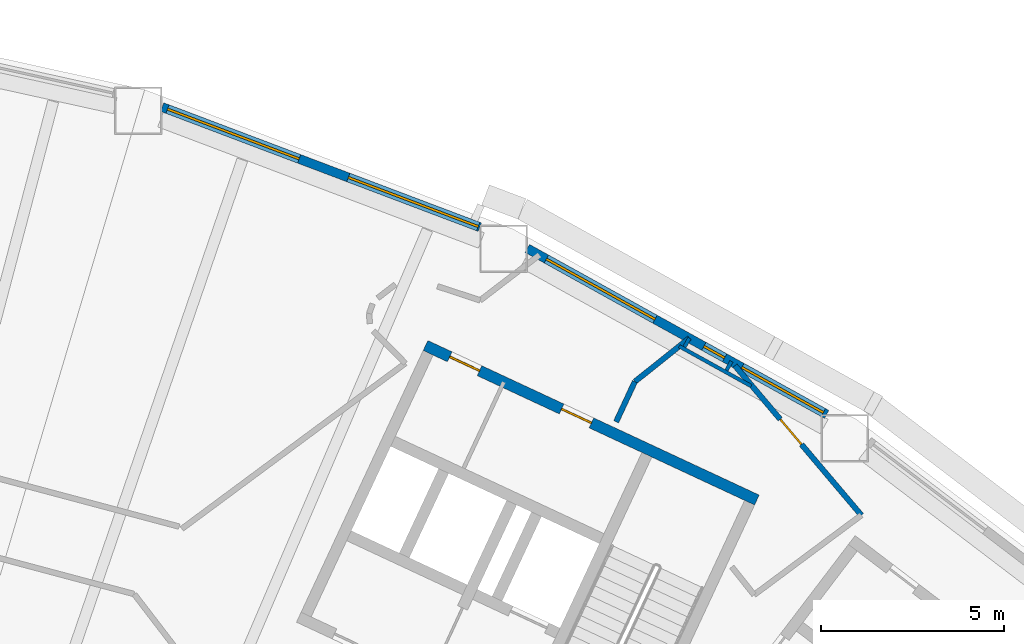
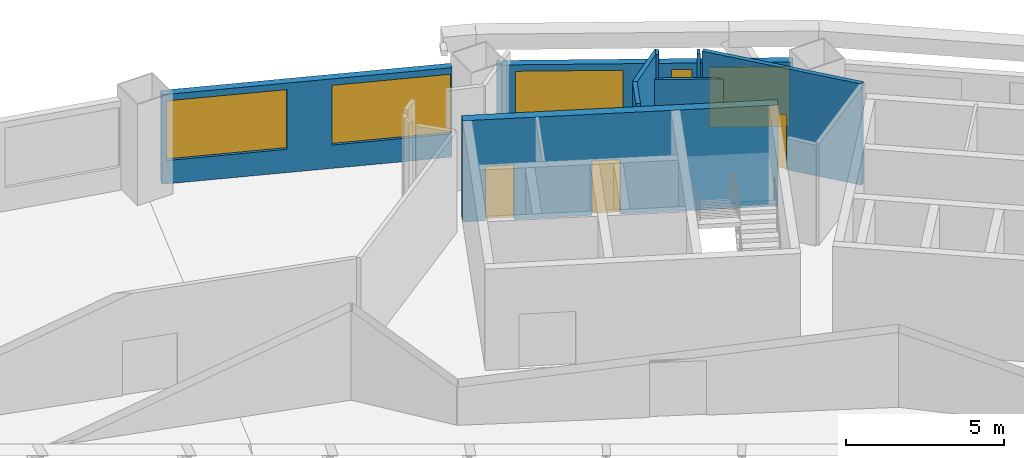
# One storey, part 8 of 14: 9 walls, 5 windows, 3 doors, 8 openings.
"""IFC4 building model written with IfcOpenShell, lengths in metres."""

from ifc_helpers import new_model, si_unit, direction, frame, frame_2d, origin, place, context, subcontext, project, spatial, rectangle, extrude, material, layer, layer_set, type_object, element, fill, save


model = new_model("IFC4")

# Units and contexts
model_context = context("Model", 3, precision=1e-05, world=origin(), true_north=direction((0.0, 1.0)))
body_context = subcontext(model_context, "Body", "Model", "MODEL_VIEW")
ifc_project = project(units=[si_unit("LENGTHUNIT", "METRE"), si_unit("AREAUNIT", "SQUARE_METRE"), si_unit("VOLUMEUNIT", "CUBIC_METRE"), si_unit("PLANEANGLEUNIT", "RADIAN"), si_unit("MASSUNIT", "GRAM", prefix="KILO")], contexts=[model_context])

# Site, building, storey
site_placement = place(None, origin())
site = spatial("IfcSite", under=ifc_project, at=site_placement, CompositionType="ELEMENT")
building_placement = place(site_placement, origin())
building = spatial("IfcBuilding", under=site, at=building_placement, Name="Tuul Gate Civic Tower", CompositionType="ELEMENT")
storey_placement = place(building_placement, frame((0.0, 0.0, 44.10009765625)))
storey = spatial("IfcBuildingStorey", under=building, at=storey_placement, Name="Level 09", CompositionType="ELEMENT", Elevation=44.10009765625)

# Wall, openings, doors
ifc_material_1 = material(Name="Concrete C50/60", Category="concrete")
ifc_layer_1 = layer(ifc_material_1, 0.300048828125)
ifc_layer_set_1 = layer_set([ifc_layer_1], Name="Concrete C50/60")
wall_type_1 = type_object("IfcWallType", Name="Core wall C50/60", PredefinedType="SHEAR", material=ifc_layer_set_1)
wall_1_placement = place(storey_placement, frame((37.993408203125, 0.181884765625, 0.0), z_axis=(0.0, 0.0, 1.0), x_axis=(-0.906310338845, 0.422612789327, 0.0)))
wall_1 = element("IfcWall", 1, at=wall_1_placement, inside=storey, type_object=wall_type_1, Name="Core wall", PredefinedType="SHEAR", context=body_context, shape_type="SweptSolid", body=[
    extrude(rectangle(XDim=9.999755859375, YDim=0.300048828125, at=frame_2d((5.0, 0.0))), origin(), (0.0, 0.0, 1.0), 3.89990234375),
])
opening_1_placement = place(wall_1_placement, frame((4.99365234375, 0.0, 0.0)))
opening_1 = element("IfcOpeningElement", 2, at=opening_1_placement, cuts=wall_1, Name="Opening B-D23", PredefinedType="OPENING", context=body_context, shape_type="SweptSolid", body=[
    extrude(rectangle(XDim=0.89990234375, YDim=2.10009765625, at=frame_2d((0.449951171875, 1.050048828125))), frame((0.0, 0.16015625, 0.0), z_axis=(0.0, -1.0, 0.0), x_axis=(1.0, 0.0, 0.0)), (0.0, 0.0, 1.0), 0.320068359375),
])
opening_2_placement = place(wall_1_placement, frame((8.368896484375, 0.0, 0.0)))
opening_2 = element("IfcOpeningElement", 3, at=opening_2_placement, cuts=wall_1, Name="Opening B-D24", PredefinedType="OPENING", context=body_context, shape_type="SweptSolid", body=[
    extrude(rectangle(XDim=0.89990234375, YDim=2.10009765625, at=frame_2d((0.449951171875, 1.050048828125))), frame((0.0, 0.16015625, 0.0), z_axis=(0.0, -1.0, 0.0), x_axis=(1.0, 0.0, 0.0)), (0.0, 0.0, 1.0), 0.320068359375),
])
ifc_material_2 = material(Name="Timber door leaf", Category="wood")
door_type = type_object("IfcDoorType", Name="Door D09", OperationType="NOTDEFINED", PredefinedType="DOOR", material=ifc_material_2)
door_1_placement = place(opening_1_placement, origin())
door_1 = element("IfcDoor", 4, at=door_1_placement, inside=storey, type_object=door_type, Name="Door B-D23", OperationType="SINGLE_SWING_LEFT", OverallHeight=2.10009765625, OverallWidth=0.89990234375, PredefinedType="DOOR", context=body_context, shape_type="SweptSolid", body=[
    extrude(rectangle(XDim=0.89990234375, YDim=2.10009765625, at=frame_2d((0.449951171875, 1.050048828125))), frame((0.0, 0.02490234375, 0.0), z_axis=(0.0, -1.0, 0.0), x_axis=(1.0, 0.0, 0.0)), (0.0, 0.0, 1.0), 0.050048828125),
])
fill(opening_1, door_1)
door_2_placement = place(opening_2_placement, origin())
door_2 = element("IfcDoor", 5, at=door_2_placement, inside=storey, type_object=door_type, Name="Door B-D24", OperationType="SINGLE_SWING_RIGHT", OverallHeight=2.10009765625, OverallWidth=0.89990234375, PredefinedType="DOOR", context=body_context, shape_type="SweptSolid", body=[
    extrude(rectangle(XDim=0.89990234375, YDim=2.10009765625, at=frame_2d((0.449951171875, 1.050048828125))), frame((0.0, 0.02490234375, 0.0), z_axis=(0.0, -1.0, 0.0), x_axis=(1.0, 0.0, 0.0)), (0.0, 0.0, 1.0), 0.050048828125),
])
fill(opening_2, door_2)

# Walls
ifc_material_3 = material(Name="Gypsum board partition")
ifc_layer_2 = layer(ifc_material_3, 0.14990234375)
ifc_layer_set_2 = layer_set([ifc_layer_2], Name="Gypsum board partition")
wall_type_2 = type_object("IfcWallType", Name="Corridor wall P150", PredefinedType="PARTITIONING", material=ifc_layer_set_2)
wall_2_placement = place(storey_placement, frame((34.143798828125, 2.322509765625, 0.0), z_axis=(0.0, 0.0, 1.0), x_axis=(0.422708976836, 0.906265480366, 0.0)))
element("IfcWall", 6, at=wall_2_placement, inside=storey, type_object=wall_type_2, Name="p012", PredefinedType="PARTITIONING", context=body_context, shape_type="SweptSolid", body=[
    extrude(rectangle(XDim=1.211669921875, YDim=0.14990234375, at=frame_2d((0.60595703125, 0.0))), origin(), (0.0, 0.0, 1.0), 3.89990234375),
])
wall_3_placement = place(storey_placement, frame((34.656005859375, 3.420654296875, 0.0), z_axis=(0.0, 0.0, 1.0), x_axis=(0.781915437201, 0.623384511411, 0.0)))
element("IfcWall", 7, at=wall_3_placement, inside=storey, type_object=wall_type_2, Name="p013", PredefinedType="PARTITIONING", context=body_context, shape_type="SweptSolid", body=[
    extrude(rectangle(XDim=1.90966796875, YDim=0.14990234375, at=frame_2d((0.954833984375, 0.0))), origin(), (0.0, 0.0, 1.0), 3.89990234375),
])

# Wall, opening, door
wall_4_placement = place(storey_placement, frame((37.392333984375, 3.85791015625, 0.0), z_axis=(0.0, 0.0, 1.0), x_axis=(0.645664327294, -0.763621356734, 0.0)))
wall_4 = element("IfcWall", 8, at=wall_4_placement, inside=storey, type_object=wall_type_2, Name="p014", PredefinedType="PARTITIONING", context=body_context, shape_type="SweptSolid", body=[
    extrude(rectangle(XDim=5.3564453125, YDim=0.14990234375, at=frame_2d((2.67822265625, 0.0))), origin(), (0.0, 0.0, 1.0), 3.89990234375),
])
opening_3_placement = place(wall_4_placement, frame((1.922119140625, 0.0, 0.0)))
opening_3 = element("IfcOpeningElement", 9, at=opening_3_placement, cuts=wall_4, Name="Opening B-D02", PredefinedType="OPENING", context=body_context, shape_type="SweptSolid", body=[
    extrude(rectangle(XDim=0.89990234375, YDim=2.10009765625, at=frame_2d((0.449951171875, 1.050048828125))), frame((0.0, 0.0849609375, 0.0), z_axis=(0.0, -1.0, 0.0), x_axis=(1.0, 0.0, 0.0)), (0.0, 0.0, 1.0), 0.169921875),
])
door_3_placement = place(opening_3_placement, frame((0.89990234375, 0.0, 0.0), z_axis=(0.0, 0.0, 1.0), x_axis=(-1.0, 0.0, 0.0)))
door_3 = element("IfcDoor", 10, at=door_3_placement, inside=storey, type_object=door_type, Name="Door B-D02", OperationType="SINGLE_SWING_RIGHT", OverallHeight=2.10009765625, OverallWidth=0.89990234375, PredefinedType="DOOR", context=body_context, shape_type="SweptSolid", body=[
    extrude(rectangle(XDim=0.89990234375, YDim=2.10009765625, at=frame_2d((0.449951171875, 1.050048828125))), frame((0.0, 0.02490234375, 0.0), z_axis=(0.0, -1.0, 0.0), x_axis=(1.0, 0.0, 0.0)), (0.0, 0.0, 1.0), 0.050048828125),
])
fill(opening_3, door_3)

# Wall, openings, windows
ifc_material_4 = material(Name="Precast concrete C40/50", Category="concrete")
ifc_layer_3 = layer(ifc_material_4, 0.25)
ifc_layer_set_3 = layer_set([ifc_layer_3], Name="Precast concrete C40/50")
wall_type_3 = type_object("IfcWallType", Name="External wall", PredefinedType="STANDARD", material=ifc_layer_set_3)
wall_5_placement = place(storey_placement, frame((39.900390625, 2.52587890625, 0.0), z_axis=(0.0, 0.0, 1.0), x_axis=(-0.87462564428, 0.484798909206, 0.0)))
wall_5 = element("IfcWall", 11, at=wall_5_placement, inside=storey, type_object=wall_type_3, Name="External wall", PredefinedType="STANDARD", context=body_context, shape_type="SweptSolid", body=[
    extrude(rectangle(XDim=9.35986328125, YDim=0.25, at=frame_2d((4.679931640625, 0.0))), origin(), (0.0, 0.0, 1.0), 3.449951171875),
])
opening_4_placement = place(wall_5_placement, frame((0.10107421875, 0.0, 0.89990234375)))
opening_4 = element("IfcOpeningElement", 12, at=opening_4_placement, cuts=wall_5, Name="Opening W120", PredefinedType="OPENING", context=body_context, shape_type="SweptSolid", body=[
    extrude(rectangle(XDim=2.550048828125, YDim=2.300048828125, at=frame_2d((1.27490234375, 1.14990234375))), frame((0.0, 0.135009765625, 0.0), z_axis=(0.0, -1.0, 0.0), x_axis=(1.0, 0.0, 0.0)), (0.0, 0.0, 1.0), 0.27001953125),
])
opening_5_placement = place(wall_5_placement, frame((3.18896484375, 0.0, 0.89990234375)))
opening_5 = element("IfcOpeningElement", 13, at=opening_5_placement, cuts=wall_5, Name="Opening W31", PredefinedType="OPENING", context=body_context, shape_type="SweptSolid", body=[
    extrude(rectangle(XDim=0.64990234375, YDim=2.300048828125, at=frame_2d((0.324951171875, 1.14990234375))), frame((0.0, 0.135009765625, 0.0), z_axis=(0.0, -1.0, 0.0), x_axis=(1.0, 0.0, 0.0)), (0.0, 0.0, 1.0), 0.27001953125),
])
opening_6_placement = place(wall_5_placement, frame((5.3642578125, 0.0, 0.89990234375)))
opening_6 = element("IfcOpeningElement", 14, at=opening_6_placement, cuts=wall_5, Name="Opening W32", PredefinedType="OPENING", context=body_context, shape_type="SweptSolid", body=[
    extrude(rectangle(XDim=3.39990234375, YDim=2.300048828125, at=frame_2d((1.699951171875, 1.14990234375))), frame((0.0, 0.135009765625, 0.0), z_axis=(0.0, -1.0, 0.0), x_axis=(1.0, 0.0, 0.0)), (0.0, 0.0, 1.0), 0.27001953125),
])
ifc_material_5 = material(Name="Glass", Category="glass")
window_type_1 = type_object("IfcWindowType", Name="Window 3400 x 2300", PartitioningType="SINGLE_PANEL", PredefinedType="WINDOW", material=ifc_material_5)
window_1_placement = place(opening_6_placement, origin())
window_1 = element("IfcWindow", 15, at=window_1_placement, inside=storey, type_object=window_type_1, Name="Window", OverallHeight=2.300048828125, OverallWidth=3.39990234375, PartitioningType="SINGLE_PANEL", PredefinedType="WINDOW", context=body_context, shape_type="SweptSolid", body=[
    extrude(rectangle(XDim=3.39990234375, YDim=2.300048828125, at=frame_2d((1.699951171875, 1.14990234375))), frame((0.0, 0.030029296875, 0.0), z_axis=(0.0, -1.0, 0.0), x_axis=(1.0, 0.0, 0.0)), (0.0, 0.0, 1.0), 0.06005859375),
])
fill(opening_6, window_1)
ifc_material_6 = material(Name="Glass", Category="glass")
window_type_2 = type_object("IfcWindowType", Name="Window 650 x 2300", PartitioningType="SINGLE_PANEL", PredefinedType="WINDOW", material=ifc_material_6)
window_2_placement = place(opening_5_placement, origin())
window_2 = element("IfcWindow", 16, at=window_2_placement, inside=storey, type_object=window_type_2, Name="Window", OverallHeight=2.300048828125, OverallWidth=0.64990234375, PartitioningType="SINGLE_PANEL", PredefinedType="WINDOW", context=body_context, shape_type="SweptSolid", body=[
    extrude(rectangle(XDim=0.64990234375, YDim=2.300048828125, at=frame_2d((0.324951171875, 1.14990234375))), frame((0.0, 0.030029296875, 0.0), z_axis=(0.0, -1.0, 0.0), x_axis=(1.0, 0.0, 0.0)), (0.0, 0.0, 1.0), 0.06005859375),
])
fill(opening_5, window_2)
ifc_material_7 = material(Name="Glass", Category="glass")
window_type_3 = type_object("IfcWindowType", Name="Window W120 2550 x 2300", PartitioningType="SINGLE_PANEL", PredefinedType="WINDOW", material=ifc_material_7)
window_3_placement = place(opening_4_placement, origin())
window_3 = element("IfcWindow", 17, at=window_3_placement, inside=storey, type_object=window_type_3, Name="Window", OverallHeight=2.300048828125, OverallWidth=2.550048828125, PartitioningType="SINGLE_PANEL", PredefinedType="WINDOW", context=body_context, shape_type="SweptSolid", body=[
    extrude(rectangle(XDim=2.550048828125, YDim=2.300048828125, at=frame_2d((1.27490234375, 1.14990234375))), frame((0.0, 0.030029296875, 0.0), z_axis=(0.0, -1.0, 0.0), x_axis=(1.0, 0.0, 0.0)), (0.0, 0.0, 1.0), 0.06005859375),
])
fill(opening_4, window_3)

wall_6_placement = place(storey_placement, frame((30.4140625, 7.6455078125, 0.0), z_axis=(0.0, 0.0, 1.0), x_axis=(-0.93537723485, 0.353651563724, 0.0)))
wall_6 = element("IfcWall", 18, at=wall_6_placement, inside=storey, type_object=wall_type_3, Name="External wall", PredefinedType="STANDARD", context=body_context, shape_type="SweptSolid", body=[
    extrude(rectangle(XDim=9.287109375, YDim=0.25, at=frame_2d((4.6435546875, 0.0))), origin(), (0.0, 0.0, 1.0), 3.449951171875),
])
opening_7_placement = place(wall_6_placement, frame((0.0458984375, 0.0, 0.89990234375)))
opening_7 = element("IfcOpeningElement", 19, at=opening_7_placement, cuts=wall_6, Name="Opening W100", PredefinedType="OPENING", context=body_context, shape_type="SweptSolid", body=[
    extrude(rectangle(XDim=3.800048828125, YDim=2.300048828125, at=frame_2d((1.89990234375, 1.14990234375))), frame((0.0, 0.135009765625, 0.0), z_axis=(0.0, -1.0, 0.0), x_axis=(1.0, 0.0, 0.0)), (0.0, 0.0, 1.0), 0.27001953125),
])
opening_8_placement = place(wall_6_placement, frame((5.281982421875, 0.0, 0.89990234375)))
opening_8 = element("IfcOpeningElement", 20, at=opening_8_placement, cuts=wall_6, Name="Opening W22", PredefinedType="OPENING", context=body_context, shape_type="SweptSolid", body=[
    extrude(rectangle(XDim=3.85009765625, YDim=2.300048828125, at=frame_2d((1.925048828125, 1.14990234375))), frame((0.0, 0.135009765625, 0.0), z_axis=(0.0, -1.0, 0.0), x_axis=(1.0, 0.0, 0.0)), (0.0, 0.0, 1.0), 0.27001953125),
])
ifc_material_8 = material(Name="Glass", Category="glass")
window_type_4 = type_object("IfcWindowType", Name="Window W100 3800 x 2300", PartitioningType="SINGLE_PANEL", PredefinedType="WINDOW", material=ifc_material_8)
window_4_placement = place(opening_7_placement, origin())
window_4 = element("IfcWindow", 21, at=window_4_placement, inside=storey, type_object=window_type_4, Name="Window", OverallHeight=2.300048828125, OverallWidth=3.800048828125, PartitioningType="SINGLE_PANEL", PredefinedType="WINDOW", context=body_context, shape_type="SweptSolid", body=[
    extrude(rectangle(XDim=3.800048828125, YDim=2.300048828125, at=frame_2d((1.89990234375, 1.14990234375))), frame((0.0, 0.030029296875, 0.0), z_axis=(0.0, -1.0, 0.0), x_axis=(1.0, 0.0, 0.0)), (0.0, 0.0, 1.0), 0.06005859375),
])
fill(opening_7, window_4)
ifc_material_9 = material(Name="Glass", Category="glass")
window_type_5 = type_object("IfcWindowType", Name="Window W22 3850 x 2300", PartitioningType="SINGLE_PANEL", PredefinedType="WINDOW", material=ifc_material_9)
window_5_placement = place(opening_8_placement, origin())
window_5 = element("IfcWindow", 22, at=window_5_placement, inside=storey, type_object=window_type_5, Name="Window", OverallHeight=2.300048828125, OverallWidth=3.85009765625, PartitioningType="SINGLE_PANEL", PredefinedType="WINDOW", context=body_context, shape_type="SweptSolid", body=[
    extrude(rectangle(XDim=3.85009765625, YDim=2.300048828125, at=frame_2d((1.925048828125, 1.14990234375))), frame((0.0, 0.030029296875, 0.0), z_axis=(0.0, -1.0, 0.0), x_axis=(1.0, 0.0, 0.0)), (0.0, 0.0, 1.0), 0.06005859375),
])
fill(opening_8, window_5)

# Walls
ifc_material_10 = material(Name="Gypsum board partition")
ifc_layer_4 = layer(ifc_material_10, 0.10009765625)
ifc_layer_set_4 = layer_set([ifc_layer_4], Name="Gypsum board partition")
wall_type_4 = type_object("IfcWallType", Name="Partition P100", PredefinedType="PARTITIONING", material=ifc_layer_set_4)
for number, where, z_axis, x_axis, name in (
    (23, (36.149169921875, 4.611083984375, 0.0), (0.0, 0.0, 1.0), (-0.48549491249, -0.874239492329, 0.0), "p068"),
    (24, (37.2978515625, 3.974365234375, 0.0), (0.0, 0.0, 1.0), (-0.484828311518, -0.874609346137, 0.0), "p069"),
):
    element("IfcWall", number, at=place(storey_placement, frame(where, z_axis=z_axis, x_axis=x_axis)), inside=storey, type_object=wall_type_4, Name=name, PredefinedType="PARTITIONING", context=body_context, shape_type="SweptSolid", body=[
        extrude(rectangle(XDim=0.280029296875, YDim=0.10009765625, at=frame_2d((0.14013671875, 0.0))), origin(), (0.0, 0.0, 1.0), 3.89990234375),
    ])
ifc_material_11 = material(Name="Gypsum board partition")
ifc_layer_5 = layer(ifc_material_11, 0.10009765625)
ifc_layer_set_5 = layer_set([ifc_layer_5], Name="Gypsum board partition")
wall_type_5 = type_object("IfcWallType", Name="Partition P100 3000 HIGH", PredefinedType="PARTITIONING", material=ifc_layer_set_5)
wall_7_placement = place(storey_placement, frame((35.869873046875, 4.388427734375, 0.0), z_axis=(0.0, 0.0, 1.0), x_axis=(0.874643355886, -0.484766954324, 0.0)))
element("IfcWall", 25, at=wall_7_placement, inside=storey, type_object=wall_type_5, Name="p065", PredefinedType="PARTITIONING", context=body_context, shape_type="SweptSolid", body=[
    extrude(rectangle(XDim=2.248779296875, YDim=0.10009765625, at=frame_2d((1.12451171875, 0.0))), origin(), (0.0, 0.0, 1.0), 3.0),
])

save(model, "model.ifc")
